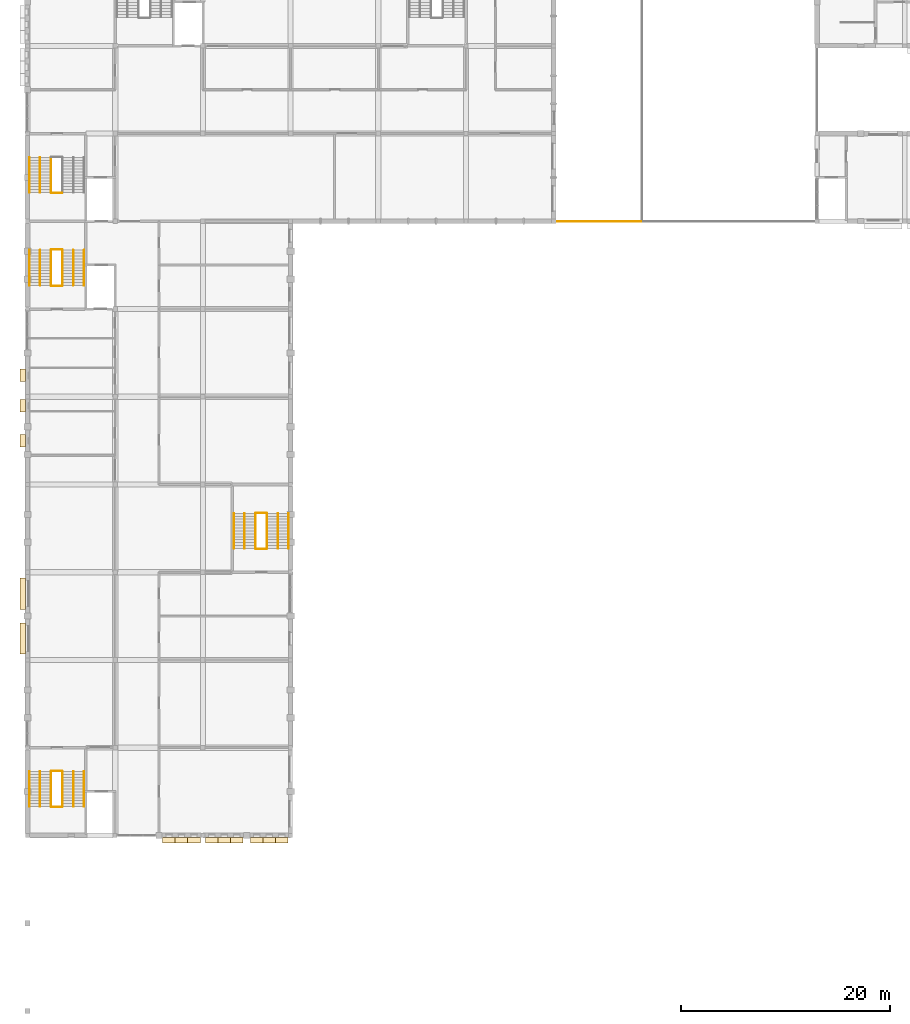
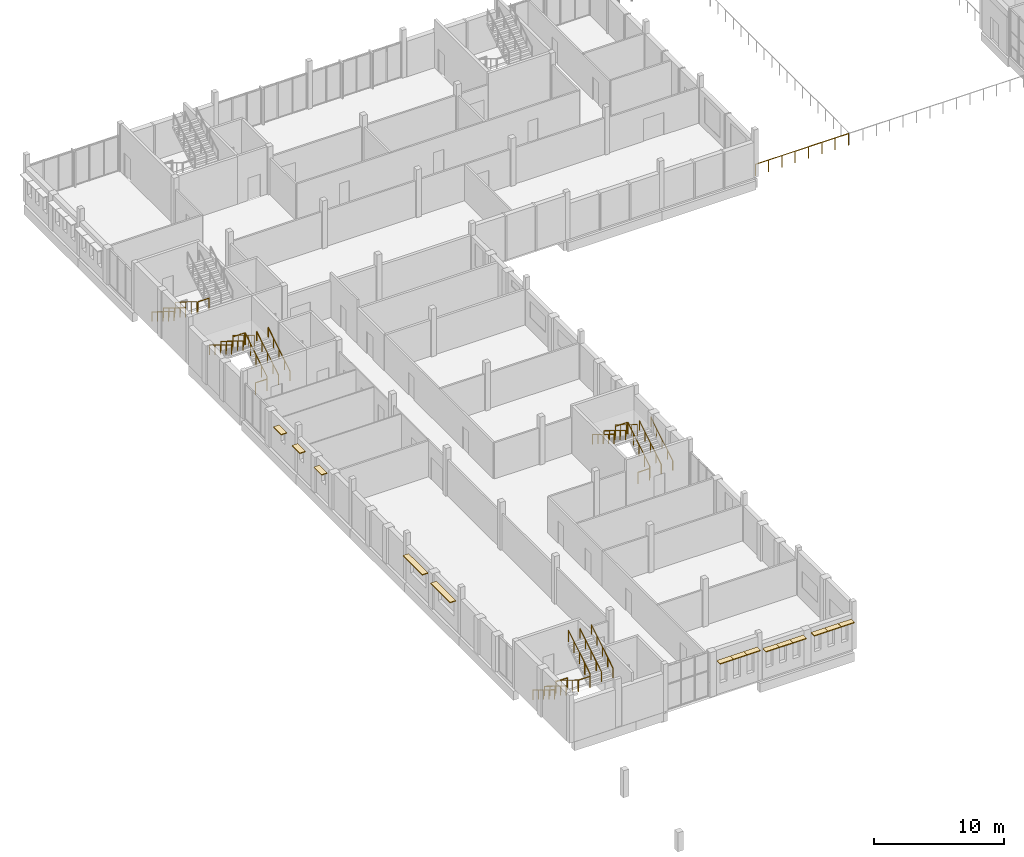
# One storey, part 28 of 30: 29 railings, 14 coverings.
"""IFC4 building model written with IfcOpenShell, lengths in metres."""

import ifcopenshell
import ifcopenshell.guid

model = None  # the IFC model being written
_history = None  # IfcOwnerHistory: only IFC2X3 demands one
_inside = {}  # id of a spatial element -> (the spatial element, [elements in it])
_under = {}  # id of a project, library or spatial element -> (it, [spatial elements below it])
_declared = {}  # id of a project -> (the project, [libraries it declares])
_typed = {}  # id of a type object -> (the type object, [elements of that type])
_made_of = {}  # id of a material, layer set ... -> (it, [elements and type objects made of it])


def new_model(schema):
    """Start an empty IFC model of exactly this schema.

    Asked for "IFC4X3", IfcOpenShell would pick the latest addendum, in which some entities
    have other attributes; the version numbers below select the first issue.
    IFC2X3 requires an IfcOwnerHistory on every rooted entity: one is made here for all.
    """
    global model, _history
    if schema == "IFC4X3":
        model = ifcopenshell.file(schema_version=(4, 3, 0, 0))
    else:
        model = ifcopenshell.file(schema=schema)
    _inside.clear()
    _under.clear()
    _declared.clear()
    _typed.clear()
    _made_of.clear()
    _history = None
    if model.schema == "IFC2X3":
        org = make("IfcOrganization", Name="unknown")
        user = make(
            "IfcPersonAndOrganization",
            ThePerson=make("IfcPerson", FamilyName="unknown"),
            TheOrganization=org,
        )
        app = make(
            "IfcApplication",
            ApplicationDeveloper=org,
            Version="unknown",
            ApplicationFullName="unknown",
            ApplicationIdentifier="unknown",
        )
        _history = make(
            "IfcOwnerHistory",
            OwningUser=user,
            OwningApplication=app,
            ChangeAction="ADDED",
            CreationDate=0,
        )
    return model


def make(cls, **values):
    """One entity of the class cls with the attributes given. An attribute that is None is left unset."""
    return model.create_entity(
        cls, **{name: value for name, value in values.items() if value is not None}
    )


def rooted(cls, **values):
    """An entity with a GlobalId (a new one), such as an element, a storey or a relation."""
    return make(cls, GlobalId=ifcopenshell.guid.new(), OwnerHistory=_history, **values)


def si_unit(unit_type, name, prefix=None):
    """IfcSIUnit, for example si_unit("LENGTHUNIT", "METRE", prefix="MILLI")."""
    return make("IfcSIUnit", UnitType=unit_type, Prefix=prefix, Name=name)


def assignment(units):
    """IfcUnitAssignment: the units of a project."""
    return None if units is None else make("IfcUnitAssignment", Units=units)


def point(xyz):
    """IfcCartesianPoint."""
    return None if xyz is None else make("IfcCartesianPoint", Coordinates=xyz)


def direction(xyz):
    """IfcDirection."""
    return None if xyz is None else make("IfcDirection", DirectionRatios=xyz)


def frame(location, z_axis=None, x_axis=None):
    """IfcAxis2Placement3D, a coordinate frame: its origin and axes. An axis left out is left unset."""
    return make(
        "IfcAxis2Placement3D",
        Location=point(location),
        Axis=direction(z_axis),
        RefDirection=direction(x_axis),
    )


def frame_2d(location, x_axis=None):
    """IfcAxis2Placement2D, a coordinate frame in the plane: its origin and x axis."""
    return make(
        "IfcAxis2Placement2D", Location=point(location), RefDirection=direction(x_axis)
    )


def origin():
    """The frame at (0, 0, 0) with its axes left unset."""
    return frame((0.0, 0.0, 0.0))


def origin_2d():
    """The frame at (0, 0) in the plane with its x axis left unset."""
    return frame_2d((0.0, 0.0))


def place(relative_to, where):
    """IfcLocalPlacement: puts the frame where relative to a parent placement (None: the world)."""
    return make(
        "IfcLocalPlacement", PlacementRelTo=relative_to, RelativePlacement=where
    )


def context(
    kind, dimensions, precision=None, world=None, true_north=None, identifier=None
):
    """IfcGeometricRepresentationContext, for example the 3D "Model" context."""
    return make(
        "IfcGeometricRepresentationContext",
        ContextIdentifier=identifier,
        ContextType=kind,
        CoordinateSpaceDimension=dimensions,
        Precision=precision,
        WorldCoordinateSystem=world,
        TrueNorth=true_north,
    )


def subcontext(parent, identifier, kind, view, scale=None):
    """IfcGeometricRepresentationSubContext, for example "Body" below "Model"."""
    return make(
        "IfcGeometricRepresentationSubContext",
        ContextIdentifier=identifier,
        ContextType=kind,
        ParentContext=parent,
        TargetScale=scale,
        TargetView=view,
    )


def project(units=None, contexts=None):
    """IfcProject with its units and contexts."""
    return rooted(
        "IfcProject",
        Name="project",
        RepresentationContexts=contexts,
        UnitsInContext=assignment(units),
    )


def spatial(cls, under=None, at=None, **own):
    """A site, building, storey or space (cls), placed at a placement, below another one or the project."""
    s = rooted(cls, ObjectPlacement=at, **own)
    if under is not None:
        _under.setdefault(under.id(), (under, []))[1].append(s)
    return s


def profile(cls, at=None, kind="AREA", **sizes):
    """A parametric profile (cls). Its sizes go by their IFC names, for example OverallWidth=200.0."""
    return make(cls, ProfileType=kind, Position=at, **sizes)


def rectangle(**sizes):
    """IfcRectangleProfileDef."""
    return profile("IfcRectangleProfileDef", **sizes)


def circle(**sizes):
    """IfcCircleProfileDef."""
    return profile("IfcCircleProfileDef", **sizes)


def extrude(swept, where, along, depth):
    """IfcExtrudedAreaSolid: the profile swept, set in the frame where, extruded along a direction by depth."""
    return make(
        "IfcExtrudedAreaSolid",
        SweptArea=swept,
        Position=where,
        ExtrudedDirection=direction(along),
        Depth=depth,
    )


def shape(context_of_items, identifier, shape_type, items):
    """IfcShapeRepresentation: the items that make up one representation, for example the "Body"."""
    return make(
        "IfcShapeRepresentation",
        ContextOfItems=context_of_items,
        RepresentationIdentifier=identifier,
        RepresentationType=shape_type,
        Items=items,
    )


def material(Name=None, Category=None):
    """IfcMaterial."""
    return make("IfcMaterial", Name=Name, Category=Category)


def layer(
    of_material, thickness, ventilated=None, Name=None, Category=None, Priority=None
):
    """IfcMaterialLayer: one layer of a wall or slab, of a material (None: an air gap)."""
    return make(
        "IfcMaterialLayer",
        Material=of_material,
        LayerThickness=thickness,
        IsVentilated=ventilated,
        Name=Name,
        Category=Category,
        Priority=Priority,
    )


def layer_set(layers, Name=None):
    """IfcMaterialLayerSet."""
    return make("IfcMaterialLayerSet", MaterialLayers=layers, LayerSetName=Name)


def made_of(thing, what):
    """Note that an element or type object is made of a material, layer set ...; save() writes the relation."""
    if what is not None:
        _made_of.setdefault(what.id(), (what, []))[1].append(thing)
    return thing


def type_object(cls, material=None, **own):
    """A type object (cls), such as IfcWallType, which elements share."""
    return made_of(rooted(cls, **own), material)


def element(
    cls,
    number,
    at=None,
    inside=None,
    cuts=None,
    type_object=None,
    material=None,
    context=None,
    identifier="Body",
    shape_type=None,
    held_by="IfcProductDefinitionShape",
    body=None,
    shapes=None,
    **own,
):
    """One element of the class cls, such as IfcWall. Its Tag is "e" and its number.

    at: its placement. inside: the storey or other place that contains it. cuts: it is an
    opening in that element (IfcRelVoidsElement). A single representation is given by context,
    identifier, shape_type and body (its items); several are given by shapes. held_by: the class
    of the entity that holds the representations. save() writes the other relations.
    """
    e = rooted(cls, Tag="e%d" % number, ObjectPlacement=at, **own)
    if body is not None:
        shapes = [shape(context, identifier, shape_type, body)]
    if shapes is not None:
        e.Representation = make(held_by, Representations=shapes)
    if inside is not None:
        _inside.setdefault(inside.id(), (inside, []))[1].append(e)
    if cuts is not None:
        rooted(
            "IfcRelVoidsElement", RelatingBuildingElement=cuts, RelatedOpeningElement=e
        )
    if type_object is not None:
        _typed.setdefault(type_object.id(), (type_object, []))[1].append(e)
    return made_of(e, material)


def aggregate(whole, parts):
    """IfcRelAggregates: a whole, such as a stair, and the parts it consists of."""
    return rooted("IfcRelAggregates", RelatingObject=whole, RelatedObjects=parts)


def save(model, path):
    """Write the relations noted so far, then the file.

    IfcRelAggregates (storeys below a building ...), IfcRelContainedInSpatialStructure (elements
    in a storey), IfcRelDefinesByType, IfcRelAssociatesMaterial and IfcRelDeclares: one each for
    every whole, place, type object, material and project.
    """
    for whole, parts in _under.values():
        aggregate(whole, parts)
    for where, things in _inside.values():
        rooted(
            "IfcRelContainedInSpatialStructure",
            RelatedElements=things,
            RelatingStructure=where,
        )
    for kind, things in _typed.values():
        rooted("IfcRelDefinesByType", RelatedObjects=things, RelatingType=kind)
    for what, things in _made_of.values():
        rooted("IfcRelAssociatesMaterial", RelatedObjects=things, RelatingMaterial=what)
    for by, libraries in _declared.values():
        rooted("IfcRelDeclares", RelatingContext=by, RelatedDefinitions=libraries)
    model.write(path)


model = new_model("IFC4")

# Units and contexts
model_context = context("Model", 3, precision=1e-05, world=origin(), true_north=direction((0.0, 1.0)))
body_context = subcontext(model_context, "Body", "Model", "MODEL_VIEW")
ifc_project = project(units=[si_unit("LENGTHUNIT", "METRE"), si_unit("AREAUNIT", "SQUARE_METRE"), si_unit("VOLUMEUNIT", "CUBIC_METRE"), si_unit("PLANEANGLEUNIT", "RADIAN"), si_unit("MASSUNIT", "GRAM", prefix="KILO")], contexts=[model_context])

# Site, building, storey
site_placement = place(None, origin())
site = spatial("IfcSite", under=ifc_project, at=site_placement, CompositionType="ELEMENT")
building_placement = place(site_placement, origin())
building = spatial("IfcBuilding", under=site, at=building_placement, Name="Fescue Hill Polytechnic", CompositionType="ELEMENT")
storey_placement = place(building_placement, frame((0.0, 0.0, 22.5)))
storey = spatial("IfcBuildingStorey", under=building, at=storey_placement, Name="L05", CompositionType="ELEMENT", Elevation=22.5)

# Railing
ifc_material_1 = material(Name="Steel 350W (350 MPa)", Category="steel")
railing_type_1 = type_object("IfcRailingType", Name="Guard steel posts and rail 1100", PredefinedType="GUARDRAIL", material=ifc_material_1)
railing_1_placement = place(storey_placement, frame((58.75, 109.199951171875, 0.0)))
element("IfcRailing", 1, at=railing_1_placement, inside=storey, type_object=railing_type_1, Name="GU-L05-V5-1", PredefinedType="GUARDRAIL", context=body_context, shape_type="SweptSolid", body=[
    extrude(circle(Radius=0.02392578125, at=origin_2d()), frame((0.0, 0.0, 1.076171875), z_axis=(-1.0, 0.0, 0.0), x_axis=(0.0, -1.0, 0.0)), (0.0, 0.0, 1.0), 8.300048828125),
    extrude(circle(Radius=0.02099609375, at=origin_2d()), origin(), (0.0, 0.0, 1.0), 1.052001953125),
    extrude(circle(Radius=0.02099609375, at=origin_2d()), frame((-1.185791015625, 0.0, 0.0)), (0.0, 0.0, 1.0), 1.052001953125),
    extrude(circle(Radius=0.02099609375, at=origin_2d()), frame((-2.371337890625, 0.0, 0.0)), (0.0, 0.0, 1.0), 1.052001953125),
    extrude(circle(Radius=0.02099609375, at=origin_2d()), frame((-3.55712890625, 0.0, 0.0)), (0.0, 0.0, 1.0), 1.052001953125),
    extrude(circle(Radius=0.02099609375, at=origin_2d()), frame((-4.742919921875, 0.0, 0.0)), (0.0, 0.0, 1.0), 1.052001953125),
    extrude(circle(Radius=0.02099609375, at=origin_2d()), frame((-5.9287109375, 0.0, 0.0)), (0.0, 0.0, 1.0), 1.052001953125),
    extrude(circle(Radius=0.02099609375, at=origin_2d()), frame((-7.1142578125, 0.0, 0.0)), (0.0, 0.0, 1.0), 1.052001953125),
    extrude(circle(Radius=0.02099609375, at=origin_2d()), frame((-8.300048828125, 0.0, 0.0)), (0.0, 0.0, 1.0), 1.052001953125),
])

# Coverings
ifc_material_2 = material(Name="Precast concrete C40/50", Category="concrete")
ifc_layer = layer(ifc_material_2, 0.080078125)
ifc_layer_set = layer_set([ifc_layer], Name="Precast concrete C40/50")
covering_type = type_object("IfcCoveringType", Name="Shade blade precast 500x80", PredefinedType="CLADDING", material=ifc_layer_set)
for number, where, z_axis, x_axis, name in (
    (2, (-0.43994140625, 94.449951171875, 2.75), (0.0, 0.0, 1.0), (0.0, -1.0, 0.0), "SB-L05-V4-1"),
    (3, (-0.43994140625, 91.550048828125, 2.75), (0.0, 0.0, 1.0), (0.0, -1.0, 0.0), "SB-L05-V4-2"),
    (4, (-0.43994140625, 88.199951171875, 2.75), (0.0, 0.0, 1.0), (0.0, -1.0, 0.0), "SB-L05-V4-3"),
):
    element("IfcCovering", number, at=place(storey_placement, frame(where, z_axis=z_axis, x_axis=x_axis)), inside=storey, type_object=covering_type, Name=name, PredefinedType="CLADDING", context=body_context, shape_type="SweptSolid", body=[
        extrude(rectangle(XDim=1.199951171875, YDim=0.5, at=origin_2d()), origin(), (0.0, 0.0, 1.0), 0.080078125),
    ])
for number, where, z_axis, x_axis, name in (
    (5, (-0.43994140625, 73.550048828125, 2.75), (0.0, 0.0, 1.0), (0.0, -1.0, 0.0), "SB-L05-V4-4"),
    (6, (-0.43994140625, 69.25, 2.75), (0.0, 0.0, 1.0), (0.0, -1.0, 0.0), "SB-L05-V4-5"),
):
    element("IfcCovering", number, at=place(storey_placement, frame(where, z_axis=z_axis, x_axis=x_axis)), inside=storey, type_object=covering_type, Name=name, PredefinedType="CLADDING", context=body_context, shape_type="SweptSolid", body=[
        extrude(rectangle(XDim=3.0, YDim=0.5, at=origin_2d()), origin(), (0.0, 0.0, 1.0), 0.080078125),
    ])
for number, where, z_axis, x_axis, name in (
    (7, (13.550048828125, 49.93994140625, 3.14990234375), (0.0, 0.0, 1.0), (1.0, 0.0, 0.0), "SB-L05-V4-6"),
    (8, (14.75, 49.93994140625, 3.14990234375), (0.0, 0.0, 1.0), (1.0, 0.0, 0.0), "SB-L05-V4-7"),
    (9, (15.949951171875, 49.93994140625, 3.14990234375), (0.0, 0.0, 1.0), (1.0, 0.0, 0.0), "SB-L05-V4-8"),
    (10, (17.64990234375, 49.93994140625, 2.849853515625), (0.0, 0.0, 1.0), (1.0, 0.0, 0.0), "SB-L05-V4-9"),
    (11, (18.85009765625, 49.93994140625, 2.849853515625), (0.0, 0.0, 1.0), (1.0, 0.0, 0.0), "SB-L05-V4-10"),
    (12, (20.050048828125, 49.93994140625, 2.849853515625), (0.0, 0.0, 1.0), (1.0, 0.0, 0.0), "SB-L05-V4-11"),
    (13, (21.949951171875, 49.93994140625, 2.849853515625), (0.0, 0.0, 1.0), (1.0, 0.0, 0.0), "SB-L05-V4-12"),
    (14, (23.14990234375, 49.93994140625, 2.849853515625), (0.0, 0.0, 1.0), (1.0, 0.0, 0.0), "SB-L05-V4-13"),
    (15, (24.35009765625, 49.93994140625, 2.849853515625), (0.0, 0.0, 1.0), (1.0, 0.0, 0.0), "SB-L05-V4-14"),
):
    element("IfcCovering", number, at=place(storey_placement, frame(where, z_axis=z_axis, x_axis=x_axis)), inside=storey, type_object=covering_type, Name=name, PredefinedType="CLADDING", context=body_context, shape_type="SweptSolid", body=[
        extrude(rectangle(XDim=1.199951171875, YDim=0.5, at=origin_2d()), origin(), (0.0, 0.0, 1.0), 0.080078125),
    ])

# Railings
railing_type_2 = type_object("IfcRailingType", Name="Stair guard steel 1100", PredefinedType="GUARDRAIL", material=ifc_material_1)
railing_2_placement = place(storey_placement, frame((2.25, 56.52490234375, 0.173095703125)))
element("IfcRailing", 16, at=railing_2_placement, inside=storey, type_object=railing_type_2, Name="L05 ST-V4-1 stair guard 1", PredefinedType="GUARDRAIL", context=body_context, shape_type="SweptSolid", body=[
    extrude(circle(Radius=0.02392578125, at=origin_2d()), frame((0.0, 0.0, 1.076171875), z_axis=(0.0, -0.850606129759, 0.525803396734), x_axis=(1.0, 0.0, 0.0)), (0.0, 0.0, 1.0), 3.949951171875),
    extrude(circle(Radius=0.02099609375, at=origin_2d()), origin(), (0.0, 0.0, 1.0), 1.052001953125),
    extrude(circle(Radius=0.02099609375, at=origin_2d()), frame((0.0, -0.83984375, 0.519287109375)), (0.0, 0.0, 1.0), 1.052001953125),
    extrude(circle(Radius=0.02099609375, at=origin_2d()), frame((0.0, -1.679931640625, 1.03857421875)), (0.0, 0.0, 1.0), 1.052001953125),
    extrude(circle(Radius=0.02099609375, at=origin_2d()), frame((0.0, -2.52001953125, 1.5576171875)), (0.0, 0.0, 1.0), 1.052001953125),
    extrude(circle(Radius=0.02099609375, at=origin_2d()), frame((0.0, -3.35986328125, 2.076904296875)), (0.0, 0.0, 1.0), 1.052001953125),
])
railing_3_placement = place(storey_placement, frame((2.300048828125, 53.114990234375, 2.25)))
element("IfcRailing", 17, at=railing_3_placement, inside=storey, type_object=railing_type_2, Name="L05 ST-V4-1 stair guard 2", PredefinedType="GUARDRAIL", context=body_context, shape_type="SweptSolid", body=[
    extrude(circle(Radius=0.02392578125, at=origin_2d()), frame((0.0, 0.0, 1.076171875), z_axis=(1.0, 0.0, 0.0), x_axis=(0.0, 1.0, 0.0)), (0.0, 0.0, 1.0), 1.02490234375),
    extrude(circle(Radius=0.02099609375, at=origin_2d()), origin(), (0.0, 0.0, 1.0), 1.052001953125),
    extrude(circle(Radius=0.02099609375, at=origin_2d()), frame((1.02490234375, 0.0, 0.0)), (0.0, 0.0, 1.0), 1.052001953125),
])
railing_4_placement = place(storey_placement, frame((3.375, 53.1650390625, 2.423095703125)))
element("IfcRailing", 18, at=railing_4_placement, inside=storey, type_object=railing_type_2, Name="L05 ST-V4-1 stair guard 3", PredefinedType="GUARDRAIL", context=body_context, shape_type="SweptSolid", body=[
    extrude(circle(Radius=0.02392578125, at=origin_2d()), frame((0.0, 0.0, 1.076171875), z_axis=(0.0, 0.850606129759, 0.525803396734), x_axis=(-1.0, 0.0, 0.0)), (0.0, 0.0, 1.0), 3.949951171875),
    extrude(circle(Radius=0.02099609375, at=origin_2d()), origin(), (0.0, 0.0, 1.0), 1.052001953125),
    extrude(circle(Radius=0.02099609375, at=origin_2d()), frame((0.0, 0.83984375, 0.519287109375)), (0.0, 0.0, 1.0), 1.052001953125),
    extrude(circle(Radius=0.02099609375, at=origin_2d()), frame((0.0, 1.679931640625, 1.03857421875)), (0.0, 0.0, 1.0), 1.052001953125),
    extrude(circle(Radius=0.02099609375, at=origin_2d()), frame((0.0, 2.52001953125, 1.5576171875)), (0.0, 0.0, 1.0), 1.052001953125),
    extrude(circle(Radius=0.02099609375, at=origin_2d()), frame((0.0, 3.35986328125, 2.076904296875)), (0.0, 0.0, 1.0), 1.052001953125),
])
railing_5_placement = place(storey_placement, frame((2.300048828125, 56.574951171875, 0.0)))
element("IfcRailing", 19, at=railing_5_placement, inside=storey, type_object=railing_type_2, Name="L05 ST-V4-1 stair guard 4", PredefinedType="GUARDRAIL", context=body_context, shape_type="SweptSolid", body=[
    extrude(circle(Radius=0.02392578125, at=origin_2d()), frame((0.0, 0.0, 1.076171875), z_axis=(1.0, 0.0, 0.0), x_axis=(0.0, 1.0, 0.0)), (0.0, 0.0, 1.0), 1.02490234375),
    extrude(circle(Radius=0.02099609375, at=origin_2d()), origin(), (0.0, 0.0, 1.0), 1.052001953125),
    extrude(circle(Radius=0.02099609375, at=origin_2d()), frame((1.02490234375, 0.0, 0.0)), (0.0, 0.0, 1.0), 1.052001953125),
])
railing_6_placement = place(storey_placement, frame((3.375, 103.074951171875, 0.173095703125)))
element("IfcRailing", 20, at=railing_6_placement, inside=storey, type_object=railing_type_2, Name="L05 ST-V4-2 stair guard 1", PredefinedType="GUARDRAIL", context=body_context, shape_type="SweptSolid", body=[
    extrude(circle(Radius=0.02392578125, at=origin_2d()), frame((0.0, 0.0, 1.076171875), z_axis=(0.0, 0.850623216509, 0.525775754039), x_axis=(-1.0, 0.0, 0.0)), (0.0, 0.0, 1.0), 3.9501953125),
    extrude(circle(Radius=0.02099609375, at=origin_2d()), origin(), (0.0, 0.0, 1.0), 1.052001953125),
    extrude(circle(Radius=0.02099609375, at=origin_2d()), frame((0.0, 0.840087890625, 0.519287109375)), (0.0, 0.0, 1.0), 1.052001953125),
    extrude(circle(Radius=0.02099609375, at=origin_2d()), frame((0.0, 1.68017578125, 1.03857421875)), (0.0, 0.0, 1.0), 1.052001953125),
    extrude(circle(Radius=0.02099609375, at=origin_2d()), frame((0.0, 2.52001953125, 1.5576171875)), (0.0, 0.0, 1.0), 1.052001953125),
    extrude(circle(Radius=0.02099609375, at=origin_2d()), frame((0.0, 3.360107421875, 2.076904296875)), (0.0, 0.0, 1.0), 1.052001953125),
])
railing_7_placement = place(storey_placement, frame((3.324951171875, 106.485107421875, 2.25)))
element("IfcRailing", 21, at=railing_7_placement, inside=storey, type_object=railing_type_2, Name="L05 ST-V4-2 stair guard 2", PredefinedType="GUARDRAIL", context=body_context, shape_type="SweptSolid", body=[
    extrude(circle(Radius=0.02392578125, at=origin_2d()), frame((0.0, 0.0, 1.076171875), z_axis=(-1.0, 0.0, 0.0), x_axis=(0.0, -1.0, 0.0)), (0.0, 0.0, 1.0), 1.02490234375),
    extrude(circle(Radius=0.02099609375, at=origin_2d()), origin(), (0.0, 0.0, 1.0), 1.052001953125),
    extrude(circle(Radius=0.02099609375, at=origin_2d()), frame((-1.02490234375, 0.0, 0.0)), (0.0, 0.0, 1.0), 1.052001953125),
])
railing_8_placement = place(storey_placement, frame((2.25, 106.43505859375, 2.423095703125)))
element("IfcRailing", 22, at=railing_8_placement, inside=storey, type_object=railing_type_2, Name="L05 ST-V4-2 stair guard 3", PredefinedType="GUARDRAIL", context=body_context, shape_type="SweptSolid", body=[
    extrude(circle(Radius=0.02392578125, at=origin_2d()), frame((0.0, 0.0, 1.076171875), z_axis=(0.0, -0.850623216509, 0.525775754039), x_axis=(1.0, 0.0, 0.0)), (0.0, 0.0, 1.0), 3.9501953125),
    extrude(circle(Radius=0.02099609375, at=origin_2d()), origin(), (0.0, 0.0, 1.0), 1.052001953125),
    extrude(circle(Radius=0.02099609375, at=origin_2d()), frame((0.0, -0.840087890625, 0.519287109375)), (0.0, 0.0, 1.0), 1.052001953125),
    extrude(circle(Radius=0.02099609375, at=origin_2d()), frame((0.0, -1.68017578125, 1.03857421875)), (0.0, 0.0, 1.0), 1.052001953125),
    extrude(circle(Radius=0.02099609375, at=origin_2d()), frame((0.0, -2.52001953125, 1.5576171875)), (0.0, 0.0, 1.0), 1.052001953125),
    extrude(circle(Radius=0.02099609375, at=origin_2d()), frame((0.0, -3.360107421875, 2.076904296875)), (0.0, 0.0, 1.0), 1.052001953125),
])
railing_9_placement = place(storey_placement, frame((3.324951171875, 103.02490234375, 0.0)))
element("IfcRailing", 23, at=railing_9_placement, inside=storey, type_object=railing_type_2, Name="L05 ST-V4-2 stair guard 4", PredefinedType="GUARDRAIL", context=body_context, shape_type="SweptSolid", body=[
    extrude(circle(Radius=0.02392578125, at=origin_2d()), frame((0.0, 0.0, 1.076171875), z_axis=(-1.0, 0.0, 0.0), x_axis=(0.0, -1.0, 0.0)), (0.0, 0.0, 1.0), 1.02490234375),
    extrude(circle(Radius=0.02099609375, at=origin_2d()), origin(), (0.0, 0.0, 1.0), 1.052001953125),
    extrude(circle(Radius=0.02099609375, at=origin_2d()), frame((-1.02490234375, 0.0, 0.0)), (0.0, 0.0, 1.0), 1.052001953125),
])
railing_10_placement = place(storey_placement, frame((22.949951171875, 77.875, 0.173095703125)))
element("IfcRailing", 24, at=railing_10_placement, inside=storey, type_object=railing_type_2, Name="L05 ST-V4-3 stair guard 1", PredefinedType="GUARDRAIL", context=body_context, shape_type="SweptSolid", body=[
    extrude(circle(Radius=0.02392578125, at=origin_2d()), frame((0.0, 0.0, 1.076171875), z_axis=(0.0, 0.850623216509, 0.525775754039), x_axis=(-1.0, 0.0, 0.0)), (0.0, 0.0, 1.0), 3.9501953125),
    extrude(circle(Radius=0.02099609375, at=origin_2d()), origin(), (0.0, 0.0, 1.0), 1.052001953125),
    extrude(circle(Radius=0.02099609375, at=origin_2d()), frame((0.0, 0.840087890625, 0.519287109375)), (0.0, 0.0, 1.0), 1.052001953125),
    extrude(circle(Radius=0.02099609375, at=origin_2d()), frame((0.0, 1.68017578125, 1.03857421875)), (0.0, 0.0, 1.0), 1.052001953125),
    extrude(circle(Radius=0.02099609375, at=origin_2d()), frame((0.0, 2.52001953125, 1.5576171875)), (0.0, 0.0, 1.0), 1.052001953125),
    extrude(circle(Radius=0.02099609375, at=origin_2d()), frame((0.0, 3.360107421875, 2.076904296875)), (0.0, 0.0, 1.0), 1.052001953125),
])
railing_11_placement = place(storey_placement, frame((22.89990234375, 81.284912109375, 2.25)))
element("IfcRailing", 25, at=railing_11_placement, inside=storey, type_object=railing_type_2, Name="L05 ST-V4-3 stair guard 2", PredefinedType="GUARDRAIL", context=body_context, shape_type="SweptSolid", body=[
    extrude(circle(Radius=0.02392578125, at=origin_2d()), frame((0.0, 0.0, 1.076171875), z_axis=(-1.0, 0.0, 0.0), x_axis=(0.0, -1.0, 0.0)), (0.0, 0.0, 1.0), 1.02490234375),
    extrude(circle(Radius=0.02099609375, at=origin_2d()), origin(), (0.0, 0.0, 1.0), 1.052001953125),
    extrude(circle(Radius=0.02099609375, at=origin_2d()), frame((-1.02490234375, 0.0, 0.0)), (0.0, 0.0, 1.0), 1.052001953125),
])
railing_12_placement = place(storey_placement, frame((21.824951171875, 81.235107421875, 2.423095703125)))
element("IfcRailing", 26, at=railing_12_placement, inside=storey, type_object=railing_type_2, Name="L05 ST-V4-3 stair guard 3", PredefinedType="GUARDRAIL", context=body_context, shape_type="SweptSolid", body=[
    extrude(circle(Radius=0.02392578125, at=origin_2d()), frame((0.0, 0.0, 1.076171875), z_axis=(0.0, -0.850623216509, 0.525775754039), x_axis=(1.0, 0.0, 0.0)), (0.0, 0.0, 1.0), 3.9501953125),
    extrude(circle(Radius=0.02099609375, at=origin_2d()), origin(), (0.0, 0.0, 1.0), 1.052001953125),
    extrude(circle(Radius=0.02099609375, at=origin_2d()), frame((0.0, -0.840087890625, 0.519287109375)), (0.0, 0.0, 1.0), 1.052001953125),
    extrude(circle(Radius=0.02099609375, at=origin_2d()), frame((0.0, -1.68017578125, 1.03857421875)), (0.0, 0.0, 1.0), 1.052001953125),
    extrude(circle(Radius=0.02099609375, at=origin_2d()), frame((0.0, -2.52001953125, 1.5576171875)), (0.0, 0.0, 1.0), 1.052001953125),
    extrude(circle(Radius=0.02099609375, at=origin_2d()), frame((0.0, -3.360107421875, 2.076904296875)), (0.0, 0.0, 1.0), 1.052001953125),
])
railing_13_placement = place(storey_placement, frame((22.89990234375, 77.824951171875, 0.0)))
element("IfcRailing", 27, at=railing_13_placement, inside=storey, type_object=railing_type_2, Name="L05 ST-V4-3 stair guard 4", PredefinedType="GUARDRAIL", context=body_context, shape_type="SweptSolid", body=[
    extrude(circle(Radius=0.02392578125, at=origin_2d()), frame((0.0, 0.0, 1.076171875), z_axis=(-1.0, 0.0, 0.0), x_axis=(0.0, -1.0, 0.0)), (0.0, 0.0, 1.0), 1.02490234375),
    extrude(circle(Radius=0.02099609375, at=origin_2d()), origin(), (0.0, 0.0, 1.0), 1.052001953125),
    extrude(circle(Radius=0.02099609375, at=origin_2d()), frame((-1.02490234375, 0.0, 0.0)), (0.0, 0.0, 1.0), 1.052001953125),
])
railing_14_placement = place(storey_placement, frame((2.25, 115.324951171875, 0.173095703125)))
element("IfcRailing", 28, at=railing_14_placement, inside=storey, type_object=railing_type_2, Name="L05 ST-V5-1 stair guard 1", PredefinedType="GUARDRAIL", context=body_context, shape_type="SweptSolid", body=[
    extrude(circle(Radius=0.02392578125, at=origin_2d()), frame((0.0, 0.0, 1.076171875), z_axis=(0.0, -0.850606129759, 0.525803396734), x_axis=(1.0, 0.0, 0.0)), (0.0, 0.0, 1.0), 3.949951171875),
    extrude(circle(Radius=0.02099609375, at=origin_2d()), origin(), (0.0, 0.0, 1.0), 1.052001953125),
    extrude(circle(Radius=0.02099609375, at=origin_2d()), frame((0.0, -0.83984375, 0.519287109375)), (0.0, 0.0, 1.0), 1.052001953125),
    extrude(circle(Radius=0.02099609375, at=origin_2d()), frame((0.0, -1.679931640625, 1.03857421875)), (0.0, 0.0, 1.0), 1.052001953125),
    extrude(circle(Radius=0.02099609375, at=origin_2d()), frame((0.0, -2.52001953125, 1.5576171875)), (0.0, 0.0, 1.0), 1.052001953125),
    extrude(circle(Radius=0.02099609375, at=origin_2d()), frame((0.0, -3.35986328125, 2.076904296875)), (0.0, 0.0, 1.0), 1.052001953125),
])
railing_15_placement = place(storey_placement, frame((2.300048828125, 111.9150390625, 2.25)))
element("IfcRailing", 29, at=railing_15_placement, inside=storey, type_object=railing_type_2, Name="L05 ST-V5-1 stair guard 2", PredefinedType="GUARDRAIL", context=body_context, shape_type="SweptSolid", body=[
    extrude(circle(Radius=0.02392578125, at=origin_2d()), frame((0.0, 0.0, 1.076171875), z_axis=(1.0, 0.0, 0.0), x_axis=(0.0, 1.0, 0.0)), (0.0, 0.0, 1.0), 1.02490234375),
    extrude(circle(Radius=0.02099609375, at=origin_2d()), origin(), (0.0, 0.0, 1.0), 1.052001953125),
    extrude(circle(Radius=0.02099609375, at=origin_2d()), frame((1.02490234375, 0.0, 0.0)), (0.0, 0.0, 1.0), 1.052001953125),
])
railing_type_3 = type_object("IfcRailingType", Name="Stair handrail steel 900", PredefinedType="HANDRAIL", material=ifc_material_1)
railing_16_placement = place(storey_placement, frame((0.199951171875, 56.52490234375, 0.173095703125)))
element("IfcRailing", 30, at=railing_16_placement, inside=storey, type_object=railing_type_3, Name="L05 ST-V4-1 stair handrail 1", PredefinedType="HANDRAIL", context=body_context, shape_type="SweptSolid", body=[
    extrude(circle(Radius=0.02392578125, at=origin_2d()), frame((0.0, 0.0, 0.8759765625), z_axis=(0.0, -0.850606129759, 0.525803396734), x_axis=(1.0, 0.0, 0.0)), (0.0, 0.0, 1.0), 3.949951171875),
    extrude(circle(Radius=0.02099609375, at=origin_2d()), origin(), (0.0, 0.0, 1.0), 0.851806640625),
    extrude(circle(Radius=0.02099609375, at=origin_2d()), frame((0.0, -0.83984375, 0.519287109375)), (0.0, 0.0, 1.0), 0.851806640625),
    extrude(circle(Radius=0.02099609375, at=origin_2d()), frame((0.0, -1.679931640625, 1.03857421875)), (0.0, 0.0, 1.0), 0.851806640625),
    extrude(circle(Radius=0.02099609375, at=origin_2d()), frame((0.0, -2.52001953125, 1.5576171875)), (0.0, 0.0, 1.0), 0.851806640625),
    extrude(circle(Radius=0.02099609375, at=origin_2d()), frame((0.0, -3.35986328125, 2.076904296875)), (0.0, 0.0, 1.0), 0.851806640625),
])
railing_17_placement = place(storey_placement, frame((5.425048828125, 53.1650390625, 2.423095703125)))
element("IfcRailing", 31, at=railing_17_placement, inside=storey, type_object=railing_type_3, Name="L05 ST-V4-1 stair handrail 2", PredefinedType="HANDRAIL", context=body_context, shape_type="SweptSolid", body=[
    extrude(circle(Radius=0.02392578125, at=origin_2d()), frame((0.0, 0.0, 0.8759765625), z_axis=(0.0, 0.850606129759, 0.525803396734), x_axis=(-1.0, 0.0, 0.0)), (0.0, 0.0, 1.0), 3.949951171875),
    extrude(circle(Radius=0.02099609375, at=origin_2d()), origin(), (0.0, 0.0, 1.0), 0.851806640625),
    extrude(circle(Radius=0.02099609375, at=origin_2d()), frame((0.0, 0.83984375, 0.519287109375)), (0.0, 0.0, 1.0), 0.851806640625),
    extrude(circle(Radius=0.02099609375, at=origin_2d()), frame((0.0, 1.679931640625, 1.03857421875)), (0.0, 0.0, 1.0), 0.851806640625),
    extrude(circle(Radius=0.02099609375, at=origin_2d()), frame((0.0, 2.52001953125, 1.5576171875)), (0.0, 0.0, 1.0), 0.851806640625),
    extrude(circle(Radius=0.02099609375, at=origin_2d()), frame((0.0, 3.35986328125, 2.076904296875)), (0.0, 0.0, 1.0), 0.851806640625),
])
railing_18_placement = place(storey_placement, frame((1.22509765625, 56.52490234375, 0.173095703125)))
element("IfcRailing", 32, at=railing_18_placement, inside=storey, type_object=railing_type_3, Name="L05 ST-V4-1 stair handrail 3", PredefinedType="HANDRAIL", context=body_context, shape_type="SweptSolid", body=[
    extrude(circle(Radius=0.02392578125, at=origin_2d()), frame((0.0, 0.0, 0.8759765625), z_axis=(0.0, -0.850606129759, 0.525803396734), x_axis=(1.0, 0.0, 0.0)), (0.0, 0.0, 1.0), 3.949951171875),
    extrude(circle(Radius=0.02099609375, at=origin_2d()), origin(), (0.0, 0.0, 1.0), 0.851806640625),
    extrude(circle(Radius=0.02099609375, at=origin_2d()), frame((0.0, -0.83984375, 0.519287109375)), (0.0, 0.0, 1.0), 0.851806640625),
    extrude(circle(Radius=0.02099609375, at=origin_2d()), frame((0.0, -1.679931640625, 1.03857421875)), (0.0, 0.0, 1.0), 0.851806640625),
    extrude(circle(Radius=0.02099609375, at=origin_2d()), frame((0.0, -2.52001953125, 1.5576171875)), (0.0, 0.0, 1.0), 0.851806640625),
    extrude(circle(Radius=0.02099609375, at=origin_2d()), frame((0.0, -3.35986328125, 2.076904296875)), (0.0, 0.0, 1.0), 0.851806640625),
])
railing_19_placement = place(storey_placement, frame((4.39990234375, 53.1650390625, 2.423095703125)))
element("IfcRailing", 33, at=railing_19_placement, inside=storey, type_object=railing_type_3, Name="L05 ST-V4-1 stair handrail 4", PredefinedType="HANDRAIL", context=body_context, shape_type="SweptSolid", body=[
    extrude(circle(Radius=0.02392578125, at=origin_2d()), frame((0.0, 0.0, 0.8759765625), z_axis=(0.0, 0.850606129759, 0.525803396734), x_axis=(-1.0, 0.0, 0.0)), (0.0, 0.0, 1.0), 3.949951171875),
    extrude(circle(Radius=0.02099609375, at=origin_2d()), origin(), (0.0, 0.0, 1.0), 0.851806640625),
    extrude(circle(Radius=0.02099609375, at=origin_2d()), frame((0.0, 0.83984375, 0.519287109375)), (0.0, 0.0, 1.0), 0.851806640625),
    extrude(circle(Radius=0.02099609375, at=origin_2d()), frame((0.0, 1.679931640625, 1.03857421875)), (0.0, 0.0, 1.0), 0.851806640625),
    extrude(circle(Radius=0.02099609375, at=origin_2d()), frame((0.0, 2.52001953125, 1.5576171875)), (0.0, 0.0, 1.0), 0.851806640625),
    extrude(circle(Radius=0.02099609375, at=origin_2d()), frame((0.0, 3.35986328125, 2.076904296875)), (0.0, 0.0, 1.0), 0.851806640625),
])
railing_20_placement = place(storey_placement, frame((5.425048828125, 103.074951171875, 0.173095703125)))
element("IfcRailing", 34, at=railing_20_placement, inside=storey, type_object=railing_type_3, Name="L05 ST-V4-2 stair handrail 1", PredefinedType="HANDRAIL", context=body_context, shape_type="SweptSolid", body=[
    extrude(circle(Radius=0.02392578125, at=origin_2d()), frame((0.0, 0.0, 0.8759765625), z_axis=(0.0, 0.850623216509, 0.525775754039), x_axis=(-1.0, 0.0, 0.0)), (0.0, 0.0, 1.0), 3.9501953125),
    extrude(circle(Radius=0.02099609375, at=origin_2d()), origin(), (0.0, 0.0, 1.0), 0.851806640625),
    extrude(circle(Radius=0.02099609375, at=origin_2d()), frame((0.0, 0.840087890625, 0.519287109375)), (0.0, 0.0, 1.0), 0.851806640625),
    extrude(circle(Radius=0.02099609375, at=origin_2d()), frame((0.0, 1.68017578125, 1.03857421875)), (0.0, 0.0, 1.0), 0.851806640625),
    extrude(circle(Radius=0.02099609375, at=origin_2d()), frame((0.0, 2.52001953125, 1.5576171875)), (0.0, 0.0, 1.0), 0.851806640625),
    extrude(circle(Radius=0.02099609375, at=origin_2d()), frame((0.0, 3.360107421875, 2.076904296875)), (0.0, 0.0, 1.0), 0.851806640625),
])
railing_21_placement = place(storey_placement, frame((0.199951171875, 106.43505859375, 2.423095703125)))
element("IfcRailing", 35, at=railing_21_placement, inside=storey, type_object=railing_type_3, Name="L05 ST-V4-2 stair handrail 2", PredefinedType="HANDRAIL", context=body_context, shape_type="SweptSolid", body=[
    extrude(circle(Radius=0.02392578125, at=origin_2d()), frame((0.0, 0.0, 0.8759765625), z_axis=(0.0, -0.850623216509, 0.525775754039), x_axis=(1.0, 0.0, 0.0)), (0.0, 0.0, 1.0), 3.9501953125),
    extrude(circle(Radius=0.02099609375, at=origin_2d()), origin(), (0.0, 0.0, 1.0), 0.851806640625),
    extrude(circle(Radius=0.02099609375, at=origin_2d()), frame((0.0, -0.840087890625, 0.519287109375)), (0.0, 0.0, 1.0), 0.851806640625),
    extrude(circle(Radius=0.02099609375, at=origin_2d()), frame((0.0, -1.68017578125, 1.03857421875)), (0.0, 0.0, 1.0), 0.851806640625),
    extrude(circle(Radius=0.02099609375, at=origin_2d()), frame((0.0, -2.52001953125, 1.5576171875)), (0.0, 0.0, 1.0), 0.851806640625),
    extrude(circle(Radius=0.02099609375, at=origin_2d()), frame((0.0, -3.360107421875, 2.076904296875)), (0.0, 0.0, 1.0), 0.851806640625),
])
railing_22_placement = place(storey_placement, frame((4.39990234375, 103.074951171875, 0.173095703125)))
element("IfcRailing", 36, at=railing_22_placement, inside=storey, type_object=railing_type_3, Name="L05 ST-V4-2 stair handrail 3", PredefinedType="HANDRAIL", context=body_context, shape_type="SweptSolid", body=[
    extrude(circle(Radius=0.02392578125, at=origin_2d()), frame((0.0, 0.0, 0.8759765625), z_axis=(0.0, 0.850623216509, 0.525775754039), x_axis=(-1.0, 0.0, 0.0)), (0.0, 0.0, 1.0), 3.9501953125),
    extrude(circle(Radius=0.02099609375, at=origin_2d()), origin(), (0.0, 0.0, 1.0), 0.851806640625),
    extrude(circle(Radius=0.02099609375, at=origin_2d()), frame((0.0, 0.840087890625, 0.519287109375)), (0.0, 0.0, 1.0), 0.851806640625),
    extrude(circle(Radius=0.02099609375, at=origin_2d()), frame((0.0, 1.68017578125, 1.03857421875)), (0.0, 0.0, 1.0), 0.851806640625),
    extrude(circle(Radius=0.02099609375, at=origin_2d()), frame((0.0, 2.52001953125, 1.5576171875)), (0.0, 0.0, 1.0), 0.851806640625),
    extrude(circle(Radius=0.02099609375, at=origin_2d()), frame((0.0, 3.360107421875, 2.076904296875)), (0.0, 0.0, 1.0), 0.851806640625),
])
railing_23_placement = place(storey_placement, frame((1.22509765625, 106.43505859375, 2.423095703125)))
element("IfcRailing", 37, at=railing_23_placement, inside=storey, type_object=railing_type_3, Name="L05 ST-V4-2 stair handrail 4", PredefinedType="HANDRAIL", context=body_context, shape_type="SweptSolid", body=[
    extrude(circle(Radius=0.02392578125, at=origin_2d()), frame((0.0, 0.0, 0.8759765625), z_axis=(0.0, -0.850623216509, 0.525775754039), x_axis=(1.0, 0.0, 0.0)), (0.0, 0.0, 1.0), 3.9501953125),
    extrude(circle(Radius=0.02099609375, at=origin_2d()), origin(), (0.0, 0.0, 1.0), 0.851806640625),
    extrude(circle(Radius=0.02099609375, at=origin_2d()), frame((0.0, -0.840087890625, 0.519287109375)), (0.0, 0.0, 1.0), 0.851806640625),
    extrude(circle(Radius=0.02099609375, at=origin_2d()), frame((0.0, -1.68017578125, 1.03857421875)), (0.0, 0.0, 1.0), 0.851806640625),
    extrude(circle(Radius=0.02099609375, at=origin_2d()), frame((0.0, -2.52001953125, 1.5576171875)), (0.0, 0.0, 1.0), 0.851806640625),
    extrude(circle(Radius=0.02099609375, at=origin_2d()), frame((0.0, -3.360107421875, 2.076904296875)), (0.0, 0.0, 1.0), 0.851806640625),
])
railing_24_placement = place(storey_placement, frame((25.0, 77.875, 0.173095703125)))
element("IfcRailing", 38, at=railing_24_placement, inside=storey, type_object=railing_type_3, Name="L05 ST-V4-3 stair handrail 1", PredefinedType="HANDRAIL", context=body_context, shape_type="SweptSolid", body=[
    extrude(circle(Radius=0.02392578125, at=origin_2d()), frame((0.0, 0.0, 0.8759765625), z_axis=(0.0, 0.850623216509, 0.525775754039), x_axis=(-1.0, 0.0, 0.0)), (0.0, 0.0, 1.0), 3.9501953125),
    extrude(circle(Radius=0.02099609375, at=origin_2d()), origin(), (0.0, 0.0, 1.0), 0.851806640625),
    extrude(circle(Radius=0.02099609375, at=origin_2d()), frame((0.0, 0.840087890625, 0.519287109375)), (0.0, 0.0, 1.0), 0.851806640625),
    extrude(circle(Radius=0.02099609375, at=origin_2d()), frame((0.0, 1.68017578125, 1.03857421875)), (0.0, 0.0, 1.0), 0.851806640625),
    extrude(circle(Radius=0.02099609375, at=origin_2d()), frame((0.0, 2.52001953125, 1.5576171875)), (0.0, 0.0, 1.0), 0.851806640625),
    extrude(circle(Radius=0.02099609375, at=origin_2d()), frame((0.0, 3.360107421875, 2.076904296875)), (0.0, 0.0, 1.0), 0.851806640625),
])
railing_25_placement = place(storey_placement, frame((19.77490234375, 81.235107421875, 2.423095703125)))
element("IfcRailing", 39, at=railing_25_placement, inside=storey, type_object=railing_type_3, Name="L05 ST-V4-3 stair handrail 2", PredefinedType="HANDRAIL", context=body_context, shape_type="SweptSolid", body=[
    extrude(circle(Radius=0.02392578125, at=origin_2d()), frame((0.0, 0.0, 0.8759765625), z_axis=(0.0, -0.850623216509, 0.525775754039), x_axis=(1.0, 0.0, 0.0)), (0.0, 0.0, 1.0), 3.9501953125),
    extrude(circle(Radius=0.02099609375, at=origin_2d()), origin(), (0.0, 0.0, 1.0), 0.851806640625),
    extrude(circle(Radius=0.02099609375, at=origin_2d()), frame((0.0, -0.840087890625, 0.519287109375)), (0.0, 0.0, 1.0), 0.851806640625),
    extrude(circle(Radius=0.02099609375, at=origin_2d()), frame((0.0, -1.68017578125, 1.03857421875)), (0.0, 0.0, 1.0), 0.851806640625),
    extrude(circle(Radius=0.02099609375, at=origin_2d()), frame((0.0, -2.52001953125, 1.5576171875)), (0.0, 0.0, 1.0), 0.851806640625),
    extrude(circle(Radius=0.02099609375, at=origin_2d()), frame((0.0, -3.360107421875, 2.076904296875)), (0.0, 0.0, 1.0), 0.851806640625),
])
railing_26_placement = place(storey_placement, frame((23.97509765625, 77.875, 0.173095703125)))
element("IfcRailing", 40, at=railing_26_placement, inside=storey, type_object=railing_type_3, Name="L05 ST-V4-3 stair handrail 3", PredefinedType="HANDRAIL", context=body_context, shape_type="SweptSolid", body=[
    extrude(circle(Radius=0.02392578125, at=origin_2d()), frame((0.0, 0.0, 0.8759765625), z_axis=(0.0, 0.850623216509, 0.525775754039), x_axis=(-1.0, 0.0, 0.0)), (0.0, 0.0, 1.0), 3.9501953125),
    extrude(circle(Radius=0.02099609375, at=origin_2d()), origin(), (0.0, 0.0, 1.0), 0.851806640625),
    extrude(circle(Radius=0.02099609375, at=origin_2d()), frame((0.0, 0.840087890625, 0.519287109375)), (0.0, 0.0, 1.0), 0.851806640625),
    extrude(circle(Radius=0.02099609375, at=origin_2d()), frame((0.0, 1.68017578125, 1.03857421875)), (0.0, 0.0, 1.0), 0.851806640625),
    extrude(circle(Radius=0.02099609375, at=origin_2d()), frame((0.0, 2.52001953125, 1.5576171875)), (0.0, 0.0, 1.0), 0.851806640625),
    extrude(circle(Radius=0.02099609375, at=origin_2d()), frame((0.0, 3.360107421875, 2.076904296875)), (0.0, 0.0, 1.0), 0.851806640625),
])
railing_27_placement = place(storey_placement, frame((20.800048828125, 81.235107421875, 2.423095703125)))
element("IfcRailing", 41, at=railing_27_placement, inside=storey, type_object=railing_type_3, Name="L05 ST-V4-3 stair handrail 4", PredefinedType="HANDRAIL", context=body_context, shape_type="SweptSolid", body=[
    extrude(circle(Radius=0.02392578125, at=origin_2d()), frame((0.0, 0.0, 0.8759765625), z_axis=(0.0, -0.850623216509, 0.525775754039), x_axis=(1.0, 0.0, 0.0)), (0.0, 0.0, 1.0), 3.9501953125),
    extrude(circle(Radius=0.02099609375, at=origin_2d()), origin(), (0.0, 0.0, 1.0), 0.851806640625),
    extrude(circle(Radius=0.02099609375, at=origin_2d()), frame((0.0, -0.840087890625, 0.519287109375)), (0.0, 0.0, 1.0), 0.851806640625),
    extrude(circle(Radius=0.02099609375, at=origin_2d()), frame((0.0, -1.68017578125, 1.03857421875)), (0.0, 0.0, 1.0), 0.851806640625),
    extrude(circle(Radius=0.02099609375, at=origin_2d()), frame((0.0, -2.52001953125, 1.5576171875)), (0.0, 0.0, 1.0), 0.851806640625),
    extrude(circle(Radius=0.02099609375, at=origin_2d()), frame((0.0, -3.360107421875, 2.076904296875)), (0.0, 0.0, 1.0), 0.851806640625),
])
for number, where, name in (
    (42, (0.199951171875, 115.324951171875, 0.173095703125), "L05 ST-V5-1 stair handrail 1"),
    (43, (1.22509765625, 115.324951171875, 0.173095703125), "L05 ST-V5-1 stair handrail 3"),
):
    element("IfcRailing", number, at=place(storey_placement, frame(where)), inside=storey, type_object=railing_type_3, Name=name, PredefinedType="HANDRAIL", context=body_context, shape_type="SweptSolid", body=[
        extrude(circle(Radius=0.02392578125, at=origin_2d()), frame((0.0, 0.0, 0.8759765625), z_axis=(0.0, -0.850606129759, 0.525803396734), x_axis=(1.0, 0.0, 0.0)), (0.0, 0.0, 1.0), 3.949951171875),
        extrude(circle(Radius=0.02099609375, at=origin_2d()), origin(), (0.0, 0.0, 1.0), 0.851806640625),
        extrude(circle(Radius=0.02099609375, at=origin_2d()), frame((0.0, -0.83984375, 0.519287109375)), (0.0, 0.0, 1.0), 0.851806640625),
        extrude(circle(Radius=0.02099609375, at=origin_2d()), frame((0.0, -1.679931640625, 1.03857421875)), (0.0, 0.0, 1.0), 0.851806640625),
        extrude(circle(Radius=0.02099609375, at=origin_2d()), frame((0.0, -2.52001953125, 1.5576171875)), (0.0, 0.0, 1.0), 0.851806640625),
        extrude(circle(Radius=0.02099609375, at=origin_2d()), frame((0.0, -3.35986328125, 2.076904296875)), (0.0, 0.0, 1.0), 0.851806640625),
    ])

save(model, "model.ifc")
